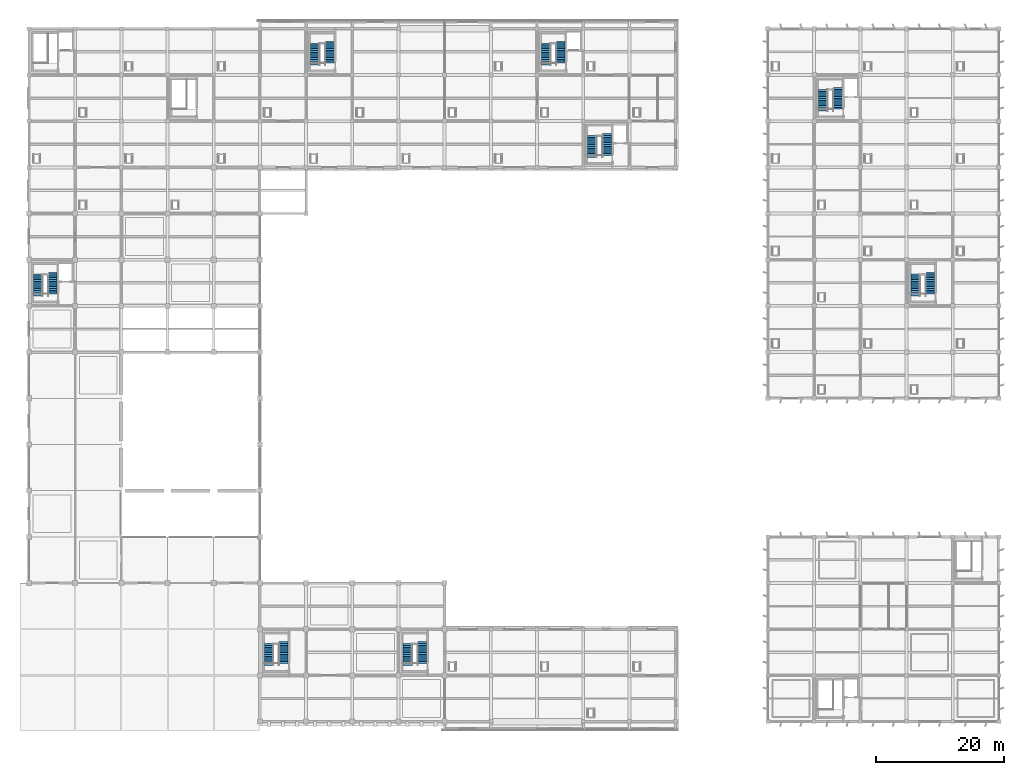
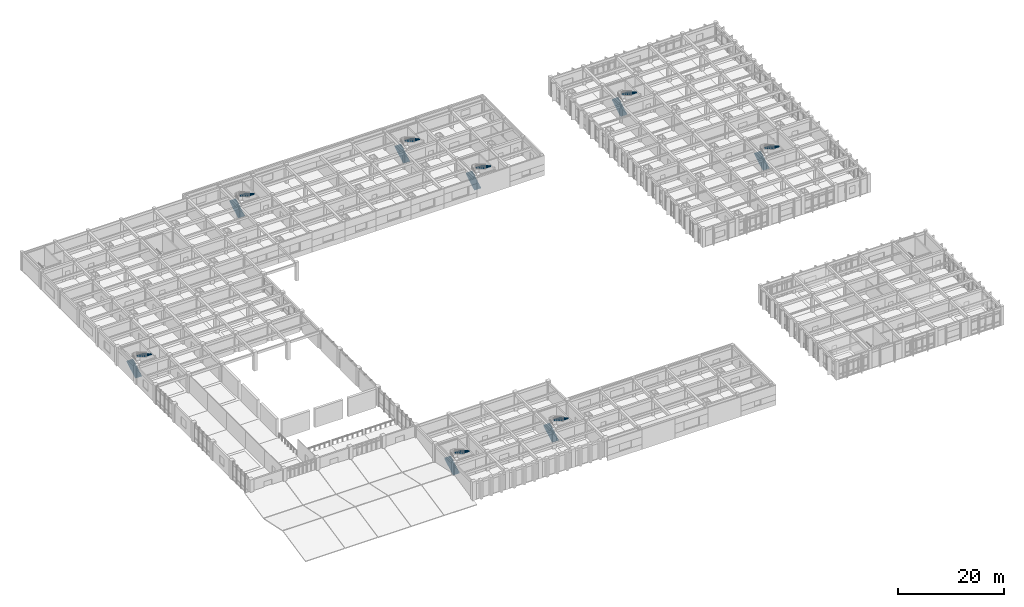
# One storey, part 63 of 70: 16 stair flights, 8 elements without a shape of their own.
"""IFC4 building model written with IfcOpenShell, lengths in metres."""

from ifc_helpers import new_model, si_unit, direction, frame, origin, place, context, subcontext, project, spatial, polyline, outline, extrude, material, type_object, element, aggregate, save


model = new_model("IFC4")

# Units and contexts
model_context = context("Model", 3, precision=1e-05, world=origin(), true_north=direction((0.0, 1.0)))
body_context = subcontext(model_context, "Body", "Model", "MODEL_VIEW")
ifc_project = project(units=[si_unit("LENGTHUNIT", "METRE"), si_unit("AREAUNIT", "SQUARE_METRE"), si_unit("VOLUMEUNIT", "CUBIC_METRE"), si_unit("PLANEANGLEUNIT", "RADIAN"), si_unit("MASSUNIT", "GRAM", prefix="KILO")], contexts=[model_context])

# Site, building, storey
site_placement = place(None, origin())
site = spatial("IfcSite", under=ifc_project, at=site_placement, CompositionType="ELEMENT")
building_placement = place(site_placement, origin())
building = spatial("IfcBuilding", under=site, at=building_placement, Name="Kavelor Marine Aquarium", CompositionType="ELEMENT")
storey_placement = place(building_placement, frame((0.0, 0.0, 9.179931640625)))
storey = spatial("IfcBuildingStorey", under=building, at=storey_placement, Name="L02", CompositionType="ELEMENT", Elevation=9.179931640625)

# Stair, stair flights
ifc_material_1 = material(Name="Concrete C40/50", Category="concrete")
stair_type = type_object("IfcStairType", Name="ST-T3", PredefinedType="HALF_TURN_STAIR", material=ifc_material_1)
stair_1_placement = place(storey_placement, origin())
stair_1 = element("IfcStair", 1, at=stair_1_placement, inside=storey, type_object=stair_type, Name="Exit Stair ST03 (L02)", PredefinedType="HALF_TURN_STAIR")
ifc_material_2 = material(Name="Concrete C40/50", Category="concrete")
stair_flight_type = type_object("IfcStairFlightType", Name="FLT-T3", PredefinedType="STRAIGHT", material=ifc_material_2)
stair_flight_1_placement = place(storey_placement, frame((4.580078125, 69.159912109375, 0.0), z_axis=(0.0, 0.0, 1.0), x_axis=(0.0, 1.0, 0.0)))
stair_flight_1 = element("IfcStairFlight", 2, at=stair_flight_1_placement, type_object=stair_flight_type, Name="ST03 flight 1", NumberOfRisers=13, NumberOfTreads=12, PredefinedType="STRAIGHT", RiserHeight=0.166154, TreadLength=0.282, context=body_context, shape_type="SweptSolid", body=[
    extrude(outline(polyline([(0.0, 0.0), (0.0, 0.166259765625), (0.281982421875, 0.166259765625), (0.281982421875, 0.332275390625), (0.56396484375, 0.332275390625), (0.56396484375, 0.49853515625), (0.845947265625, 0.49853515625), (0.845947265625, 0.66455078125), (1.1279296875, 0.66455078125), (1.1279296875, 0.830810546875), (1.409912109375, 0.830810546875), (1.409912109375, 0.996826171875), (1.69189453125, 0.996826171875), (1.69189453125, 1.1630859375), (1.97412109375, 1.1630859375), (1.97412109375, 1.329345703125), (2.256103515625, 1.329345703125), (2.256103515625, 1.495361328125), (2.5380859375, 1.495361328125), (2.5380859375, 1.66162109375), (2.820068359375, 1.66162109375), (2.820068359375, 1.82763671875), (3.10205078125, 1.82763671875), (3.10205078125, 1.993896484375), (3.384033203125, 1.993896484375), (3.384033203125, 2.159912109375), (3.384033203125, 1.784912109375), (0.3544921875, 0.0), (0.0, 0.0)])), frame((0.0, 0.68994140625, 0.0), z_axis=(0.0, -1.0, 0.0), x_axis=(1.0, 0.0, 0.0)), (0.0, 0.0, 1.0), 1.3798828125),
])
stair_flight_2_placement = place(storey_placement, frame((6.89990234375, 72.843994140625, 2.16015625), z_axis=(0.0, 0.0, 1.0), x_axis=(0.0, -1.0, 0.0)))
stair_flight_2 = element("IfcStairFlight", 3, at=stair_flight_2_placement, type_object=stair_flight_type, Name="ST03 flight 2", NumberOfRisers=13, NumberOfTreads=12, PredefinedType="STRAIGHT", RiserHeight=0.166154, TreadLength=0.282, context=body_context, shape_type="SweptSolid", body=[
    extrude(outline(polyline([(0.0, 0.0), (0.0, 0.166259765625), (0.281982421875, 0.166259765625), (0.281982421875, 0.332275390625), (0.56396484375, 0.332275390625), (0.56396484375, 0.49853515625), (0.845947265625, 0.49853515625), (0.845947265625, 0.66455078125), (1.1279296875, 0.66455078125), (1.1279296875, 0.830810546875), (1.409912109375, 0.830810546875), (1.409912109375, 0.996826171875), (1.69189453125, 0.996826171875), (1.69189453125, 1.1630859375), (1.97412109375, 1.1630859375), (1.97412109375, 1.329345703125), (2.256103515625, 1.329345703125), (2.256103515625, 1.495361328125), (2.5380859375, 1.495361328125), (2.5380859375, 1.66162109375), (2.820068359375, 1.66162109375), (2.820068359375, 1.82763671875), (3.10205078125, 1.82763671875), (3.10205078125, 1.993896484375), (3.384033203125, 1.993896484375), (3.384033203125, 2.159912109375), (3.384033203125, 1.784912109375), (0.3544921875, 0.0), (0.0, 0.0)])), frame((0.0, 0.68994140625, 0.0), z_axis=(0.0, -1.0, 0.0), x_axis=(1.0, 0.0, 0.0)), (0.0, 0.0, 1.0), 1.3798828125),
])
aggregate(stair_1, [stair_flight_1, stair_flight_2])

stair_2_placement = place(storey_placement, origin())
stair_2 = element("IfcStair", 4, at=stair_2_placement, inside=storey, type_object=stair_type, Name="Exit Stair ST04 (L02)", PredefinedType="HALF_TURN_STAIR")
stair_flight_3_placement = place(storey_placement, frame((40.580078125, 11.56005859375, 0.0), z_axis=(0.0, 0.0, 1.0), x_axis=(0.0, 1.0, 0.0)))
stair_flight_3 = element("IfcStairFlight", 5, at=stair_flight_3_placement, type_object=stair_flight_type, Name="ST04 flight 1", NumberOfRisers=13, NumberOfTreads=12, PredefinedType="STRAIGHT", RiserHeight=0.166154, TreadLength=0.282, context=body_context, shape_type="SweptSolid", body=[
    extrude(outline(polyline([(0.0, 0.0), (0.0, 0.166259765625), (0.281982421875, 0.166259765625), (0.281982421875, 0.332275390625), (0.56396484375, 0.332275390625), (0.56396484375, 0.49853515625), (0.845947265625, 0.49853515625), (0.845947265625, 0.66455078125), (1.1279296875, 0.66455078125), (1.1279296875, 0.830810546875), (1.409912109375, 0.830810546875), (1.409912109375, 0.996826171875), (1.69189453125, 0.996826171875), (1.69189453125, 1.1630859375), (1.97412109375, 1.1630859375), (1.97412109375, 1.329345703125), (2.256103515625, 1.329345703125), (2.256103515625, 1.495361328125), (2.5380859375, 1.495361328125), (2.5380859375, 1.66162109375), (2.820068359375, 1.66162109375), (2.820068359375, 1.82763671875), (3.10205078125, 1.82763671875), (3.10205078125, 1.993896484375), (3.384033203125, 1.993896484375), (3.384033203125, 2.159912109375), (3.384033203125, 1.784912109375), (0.3544921875, 0.0), (0.0, 0.0)])), frame((0.0, 0.68994140625, 0.0), z_axis=(0.0, -1.0, 0.0), x_axis=(1.0, 0.0, 0.0)), (0.0, 0.0, 1.0), 1.3798828125),
])
stair_flight_4_placement = place(storey_placement, frame((42.89990234375, 15.243896484375, 2.16015625), z_axis=(0.0, 0.0, 1.0), x_axis=(0.0, -1.0, 0.0)))
stair_flight_4 = element("IfcStairFlight", 6, at=stair_flight_4_placement, type_object=stair_flight_type, Name="ST04 flight 2", NumberOfRisers=13, NumberOfTreads=12, PredefinedType="STRAIGHT", RiserHeight=0.166154, TreadLength=0.282, context=body_context, shape_type="SweptSolid", body=[
    extrude(outline(polyline([(0.0, 0.0), (0.0, 0.166259765625), (0.281982421875, 0.166259765625), (0.281982421875, 0.332275390625), (0.56396484375, 0.332275390625), (0.56396484375, 0.49853515625), (0.845947265625, 0.49853515625), (0.845947265625, 0.66455078125), (1.1279296875, 0.66455078125), (1.1279296875, 0.830810546875), (1.409912109375, 0.830810546875), (1.409912109375, 0.996826171875), (1.69189453125, 0.996826171875), (1.69189453125, 1.1630859375), (1.97412109375, 1.1630859375), (1.97412109375, 1.329345703125), (2.256103515625, 1.329345703125), (2.256103515625, 1.495361328125), (2.5380859375, 1.495361328125), (2.5380859375, 1.66162109375), (2.820068359375, 1.66162109375), (2.820068359375, 1.82763671875), (3.10205078125, 1.82763671875), (3.10205078125, 1.993896484375), (3.384033203125, 1.993896484375), (3.384033203125, 2.159912109375), (3.384033203125, 1.784912109375), (0.3544921875, 0.0), (0.0, 0.0)])), frame((0.0, 0.68994140625, 0.0), z_axis=(0.0, -1.0, 0.0), x_axis=(1.0, 0.0, 0.0)), (0.0, 0.0, 1.0), 1.3798828125),
])
aggregate(stair_2, [stair_flight_3, stair_flight_4])

stair_3_placement = place(storey_placement, origin())
stair_3 = element("IfcStair", 7, at=stair_3_placement, inside=storey, type_object=stair_type, Name="Exit Stair ST12 (L02)", PredefinedType="HALF_TURN_STAIR")
stair_flight_5_placement = place(storey_placement, frame((62.179931640625, 11.56005859375, 0.0), z_axis=(0.0, 0.0, 1.0), x_axis=(0.0, 1.0, 0.0)))
stair_flight_5 = element("IfcStairFlight", 8, at=stair_flight_5_placement, type_object=stair_flight_type, Name="ST12 flight 1", NumberOfRisers=13, NumberOfTreads=12, PredefinedType="STRAIGHT", RiserHeight=0.166154, TreadLength=0.282, context=body_context, shape_type="SweptSolid", body=[
    extrude(outline(polyline([(0.0, 0.0), (0.0, 0.166259765625), (0.281982421875, 0.166259765625), (0.281982421875, 0.332275390625), (0.56396484375, 0.332275390625), (0.56396484375, 0.49853515625), (0.845947265625, 0.49853515625), (0.845947265625, 0.66455078125), (1.1279296875, 0.66455078125), (1.1279296875, 0.830810546875), (1.409912109375, 0.830810546875), (1.409912109375, 0.996826171875), (1.69189453125, 0.996826171875), (1.69189453125, 1.1630859375), (1.97412109375, 1.1630859375), (1.97412109375, 1.329345703125), (2.256103515625, 1.329345703125), (2.256103515625, 1.495361328125), (2.5380859375, 1.495361328125), (2.5380859375, 1.66162109375), (2.820068359375, 1.66162109375), (2.820068359375, 1.82763671875), (3.10205078125, 1.82763671875), (3.10205078125, 1.993896484375), (3.384033203125, 1.993896484375), (3.384033203125, 2.159912109375), (3.384033203125, 1.784912109375), (0.3544921875, 0.0), (0.0, 0.0)])), frame((0.0, 0.68994140625, 0.0), z_axis=(0.0, -1.0, 0.0), x_axis=(1.0, 0.0, 0.0)), (0.0, 0.0, 1.0), 1.3798828125),
])
stair_flight_6_placement = place(storey_placement, frame((64.5, 15.243896484375, 2.16015625), z_axis=(0.0, 0.0, 1.0), x_axis=(0.0, -1.0, 0.0)))
stair_flight_6 = element("IfcStairFlight", 9, at=stair_flight_6_placement, type_object=stair_flight_type, Name="ST12 flight 2", NumberOfRisers=13, NumberOfTreads=12, PredefinedType="STRAIGHT", RiserHeight=0.166154, TreadLength=0.282, context=body_context, shape_type="SweptSolid", body=[
    extrude(outline(polyline([(0.0, 0.0), (0.0, 0.166259765625), (0.281982421875, 0.166259765625), (0.281982421875, 0.332275390625), (0.56396484375, 0.332275390625), (0.56396484375, 0.49853515625), (0.845947265625, 0.49853515625), (0.845947265625, 0.66455078125), (1.1279296875, 0.66455078125), (1.1279296875, 0.830810546875), (1.409912109375, 0.830810546875), (1.409912109375, 0.996826171875), (1.69189453125, 0.996826171875), (1.69189453125, 1.1630859375), (1.97412109375, 1.1630859375), (1.97412109375, 1.329345703125), (2.256103515625, 1.329345703125), (2.256103515625, 1.495361328125), (2.5380859375, 1.495361328125), (2.5380859375, 1.66162109375), (2.820068359375, 1.66162109375), (2.820068359375, 1.82763671875), (3.10205078125, 1.82763671875), (3.10205078125, 1.993896484375), (3.384033203125, 1.993896484375), (3.384033203125, 2.159912109375), (3.384033203125, 1.784912109375), (0.3544921875, 0.0), (0.0, 0.0)])), frame((0.0, 0.68994140625, 0.0), z_axis=(0.0, -1.0, 0.0), x_axis=(1.0, 0.0, 0.0)), (0.0, 0.0, 1.0), 1.3798828125),
])
aggregate(stair_3, [stair_flight_5, stair_flight_6])

stair_4_placement = place(storey_placement, origin())
stair_4 = element("IfcStair", 10, at=stair_4_placement, inside=storey, type_object=stair_type, Name="Exit Stair ST05 (L02)", PredefinedType="HALF_TURN_STAIR")
stair_flight_7_placement = place(storey_placement, frame((47.780029296875, 105.159912109375, 0.0), z_axis=(0.0, 0.0, 1.0), x_axis=(0.0, 1.0, 0.0)))
stair_flight_7 = element("IfcStairFlight", 11, at=stair_flight_7_placement, type_object=stair_flight_type, Name="ST05 flight 1", NumberOfRisers=13, NumberOfTreads=12, PredefinedType="STRAIGHT", RiserHeight=0.166154, TreadLength=0.282, context=body_context, shape_type="SweptSolid", body=[
    extrude(outline(polyline([(0.0, 0.0), (0.0, 0.166259765625), (0.281982421875, 0.166259765625), (0.281982421875, 0.332275390625), (0.56396484375, 0.332275390625), (0.56396484375, 0.49853515625), (0.845947265625, 0.49853515625), (0.845947265625, 0.66455078125), (1.1279296875, 0.66455078125), (1.1279296875, 0.830810546875), (1.409912109375, 0.830810546875), (1.409912109375, 0.996826171875), (1.69189453125, 0.996826171875), (1.69189453125, 1.1630859375), (1.97412109375, 1.1630859375), (1.97412109375, 1.329345703125), (2.256103515625, 1.329345703125), (2.256103515625, 1.495361328125), (2.5380859375, 1.495361328125), (2.5380859375, 1.66162109375), (2.820068359375, 1.66162109375), (2.820068359375, 1.82763671875), (3.10205078125, 1.82763671875), (3.10205078125, 1.993896484375), (3.384033203125, 1.993896484375), (3.384033203125, 2.159912109375), (3.384033203125, 1.784912109375), (0.3544921875, 0.0), (0.0, 0.0)])), frame((0.0, 0.68994140625, 0.0), z_axis=(0.0, -1.0, 0.0), x_axis=(1.0, 0.0, 0.0)), (0.0, 0.0, 1.0), 1.3798828125),
])
stair_flight_8_placement = place(storey_placement, frame((50.10009765625, 108.843994140625, 2.16015625), z_axis=(0.0, 0.0, 1.0), x_axis=(0.0, -1.0, 0.0)))
stair_flight_8 = element("IfcStairFlight", 12, at=stair_flight_8_placement, type_object=stair_flight_type, Name="ST05 flight 2", NumberOfRisers=13, NumberOfTreads=12, PredefinedType="STRAIGHT", RiserHeight=0.166154, TreadLength=0.282, context=body_context, shape_type="SweptSolid", body=[
    extrude(outline(polyline([(0.0, 0.0), (0.0, 0.166259765625), (0.281982421875, 0.166259765625), (0.281982421875, 0.332275390625), (0.56396484375, 0.332275390625), (0.56396484375, 0.49853515625), (0.845947265625, 0.49853515625), (0.845947265625, 0.66455078125), (1.1279296875, 0.66455078125), (1.1279296875, 0.830810546875), (1.409912109375, 0.830810546875), (1.409912109375, 0.996826171875), (1.69189453125, 0.996826171875), (1.69189453125, 1.1630859375), (1.97412109375, 1.1630859375), (1.97412109375, 1.329345703125), (2.256103515625, 1.329345703125), (2.256103515625, 1.495361328125), (2.5380859375, 1.495361328125), (2.5380859375, 1.66162109375), (2.820068359375, 1.66162109375), (2.820068359375, 1.82763671875), (3.10205078125, 1.82763671875), (3.10205078125, 1.993896484375), (3.384033203125, 1.993896484375), (3.384033203125, 2.159912109375), (3.384033203125, 1.784912109375), (0.3544921875, 0.0), (0.0, 0.0)])), frame((0.0, 0.68994140625, 0.0), z_axis=(0.0, -1.0, 0.0), x_axis=(1.0, 0.0, 0.0)), (0.0, 0.0, 1.0), 1.3798828125),
])
aggregate(stair_4, [stair_flight_7, stair_flight_8])

stair_5_placement = place(storey_placement, origin())
stair_5 = element("IfcStair", 13, at=stair_5_placement, inside=storey, type_object=stair_type, Name="Exit Stair ST06 (L02)", PredefinedType="HALF_TURN_STAIR")
stair_flight_9_placement = place(storey_placement, frame((83.780029296875, 105.159912109375, 0.0), z_axis=(0.0, 0.0, 1.0), x_axis=(0.0, 1.0, 0.0)))
stair_flight_9 = element("IfcStairFlight", 14, at=stair_flight_9_placement, type_object=stair_flight_type, Name="ST06 flight 1", NumberOfRisers=13, NumberOfTreads=12, PredefinedType="STRAIGHT", RiserHeight=0.166154, TreadLength=0.282, context=body_context, shape_type="SweptSolid", body=[
    extrude(outline(polyline([(0.0, 0.0), (0.0, 0.166259765625), (0.281982421875, 0.166259765625), (0.281982421875, 0.332275390625), (0.56396484375, 0.332275390625), (0.56396484375, 0.49853515625), (0.845947265625, 0.49853515625), (0.845947265625, 0.66455078125), (1.1279296875, 0.66455078125), (1.1279296875, 0.830810546875), (1.409912109375, 0.830810546875), (1.409912109375, 0.996826171875), (1.69189453125, 0.996826171875), (1.69189453125, 1.1630859375), (1.97412109375, 1.1630859375), (1.97412109375, 1.329345703125), (2.256103515625, 1.329345703125), (2.256103515625, 1.495361328125), (2.5380859375, 1.495361328125), (2.5380859375, 1.66162109375), (2.820068359375, 1.66162109375), (2.820068359375, 1.82763671875), (3.10205078125, 1.82763671875), (3.10205078125, 1.993896484375), (3.384033203125, 1.993896484375), (3.384033203125, 2.159912109375), (3.384033203125, 1.784912109375), (0.3544921875, 0.0), (0.0, 0.0)])), frame((0.0, 0.68994140625, 0.0), z_axis=(0.0, -1.0, 0.0), x_axis=(1.0, 0.0, 0.0)), (0.0, 0.0, 1.0), 1.3798828125),
])
stair_flight_10_placement = place(storey_placement, frame((86.10009765625, 108.843994140625, 2.16015625), z_axis=(0.0, 0.0, 1.0), x_axis=(0.0, -1.0, 0.0)))
stair_flight_10 = element("IfcStairFlight", 15, at=stair_flight_10_placement, type_object=stair_flight_type, Name="ST06 flight 2", NumberOfRisers=13, NumberOfTreads=12, PredefinedType="STRAIGHT", RiserHeight=0.166154, TreadLength=0.282, context=body_context, shape_type="SweptSolid", body=[
    extrude(outline(polyline([(0.0, 0.0), (0.0, 0.166259765625), (0.281982421875, 0.166259765625), (0.281982421875, 0.332275390625), (0.56396484375, 0.332275390625), (0.56396484375, 0.49853515625), (0.845947265625, 0.49853515625), (0.845947265625, 0.66455078125), (1.1279296875, 0.66455078125), (1.1279296875, 0.830810546875), (1.409912109375, 0.830810546875), (1.409912109375, 0.996826171875), (1.69189453125, 0.996826171875), (1.69189453125, 1.1630859375), (1.97412109375, 1.1630859375), (1.97412109375, 1.329345703125), (2.256103515625, 1.329345703125), (2.256103515625, 1.495361328125), (2.5380859375, 1.495361328125), (2.5380859375, 1.66162109375), (2.820068359375, 1.66162109375), (2.820068359375, 1.82763671875), (3.10205078125, 1.82763671875), (3.10205078125, 1.993896484375), (3.384033203125, 1.993896484375), (3.384033203125, 2.159912109375), (3.384033203125, 1.784912109375), (0.3544921875, 0.0), (0.0, 0.0)])), frame((0.0, 0.68994140625, 0.0), z_axis=(0.0, -1.0, 0.0), x_axis=(1.0, 0.0, 0.0)), (0.0, 0.0, 1.0), 1.3798828125),
])
aggregate(stair_5, [stair_flight_9, stair_flight_10])

stair_6_placement = place(storey_placement, origin())
stair_6 = element("IfcStair", 16, at=stair_6_placement, inside=storey, type_object=stair_type, Name="Exit Stair ST07 (L02)", PredefinedType="HALF_TURN_STAIR")
stair_flight_11_placement = place(storey_placement, frame((90.97998046875, 90.760009765625, 0.0), z_axis=(0.0, 0.0, 1.0), x_axis=(0.0, 1.0, 0.0)))
stair_flight_11 = element("IfcStairFlight", 17, at=stair_flight_11_placement, type_object=stair_flight_type, Name="ST07 flight 1", NumberOfRisers=13, NumberOfTreads=12, PredefinedType="STRAIGHT", RiserHeight=0.166154, TreadLength=0.282, context=body_context, shape_type="SweptSolid", body=[
    extrude(outline(polyline([(0.0, 0.0), (0.0, 0.166259765625), (0.281982421875, 0.166259765625), (0.281982421875, 0.332275390625), (0.56396484375, 0.332275390625), (0.56396484375, 0.49853515625), (0.845947265625, 0.49853515625), (0.845947265625, 0.66455078125), (1.1279296875, 0.66455078125), (1.1279296875, 0.830810546875), (1.409912109375, 0.830810546875), (1.409912109375, 0.996826171875), (1.69189453125, 0.996826171875), (1.69189453125, 1.1630859375), (1.97412109375, 1.1630859375), (1.97412109375, 1.329345703125), (2.256103515625, 1.329345703125), (2.256103515625, 1.495361328125), (2.5380859375, 1.495361328125), (2.5380859375, 1.66162109375), (2.820068359375, 1.66162109375), (2.820068359375, 1.82763671875), (3.10205078125, 1.82763671875), (3.10205078125, 1.993896484375), (3.384033203125, 1.993896484375), (3.384033203125, 2.159912109375), (3.384033203125, 1.784912109375), (0.3544921875, 0.0), (0.0, 0.0)])), frame((0.0, 0.68994140625, 0.0), z_axis=(0.0, -1.0, 0.0), x_axis=(1.0, 0.0, 0.0)), (0.0, 0.0, 1.0), 1.3798828125),
])
stair_flight_12_placement = place(storey_placement, frame((93.300048828125, 94.444091796875, 2.16015625), z_axis=(0.0, 0.0, 1.0), x_axis=(0.0, -1.0, 0.0)))
stair_flight_12 = element("IfcStairFlight", 18, at=stair_flight_12_placement, type_object=stair_flight_type, Name="ST07 flight 2", NumberOfRisers=13, NumberOfTreads=12, PredefinedType="STRAIGHT", RiserHeight=0.166154, TreadLength=0.282, context=body_context, shape_type="SweptSolid", body=[
    extrude(outline(polyline([(0.0, 0.0), (0.0, 0.166259765625), (0.281982421875, 0.166259765625), (0.281982421875, 0.332275390625), (0.56396484375, 0.332275390625), (0.56396484375, 0.49853515625), (0.845947265625, 0.49853515625), (0.845947265625, 0.66455078125), (1.1279296875, 0.66455078125), (1.1279296875, 0.830810546875), (1.409912109375, 0.830810546875), (1.409912109375, 0.996826171875), (1.69189453125, 0.996826171875), (1.69189453125, 1.1630859375), (1.97412109375, 1.1630859375), (1.97412109375, 1.329345703125), (2.256103515625, 1.329345703125), (2.256103515625, 1.495361328125), (2.5380859375, 1.495361328125), (2.5380859375, 1.66162109375), (2.820068359375, 1.66162109375), (2.820068359375, 1.82763671875), (3.10205078125, 1.82763671875), (3.10205078125, 1.993896484375), (3.384033203125, 1.993896484375), (3.384033203125, 2.159912109375), (3.384033203125, 1.784912109375), (0.3544921875, 0.0), (0.0, 0.0)])), frame((0.0, 0.68994140625, 0.0), z_axis=(0.0, -1.0, 0.0), x_axis=(1.0, 0.0, 0.0)), (0.0, 0.0, 1.0), 1.3798828125),
])
aggregate(stair_6, [stair_flight_11, stair_flight_12])

stair_7_placement = place(storey_placement, origin())
stair_7 = element("IfcStair", 19, at=stair_7_placement, inside=storey, type_object=stair_type, Name="Exit Stair ST10 (L02)", PredefinedType="HALF_TURN_STAIR")
stair_flight_13_placement = place(storey_placement, frame((126.97998046875, 97.9599609375, 0.0), z_axis=(0.0, 0.0, 1.0), x_axis=(0.0, 1.0, 0.0)))
stair_flight_13 = element("IfcStairFlight", 20, at=stair_flight_13_placement, type_object=stair_flight_type, Name="ST10 flight 1", NumberOfRisers=13, NumberOfTreads=12, PredefinedType="STRAIGHT", RiserHeight=0.166154, TreadLength=0.282, context=body_context, shape_type="SweptSolid", body=[
    extrude(outline(polyline([(0.0, 0.0), (0.0, 0.166259765625), (0.281982421875, 0.166259765625), (0.281982421875, 0.332275390625), (0.56396484375, 0.332275390625), (0.56396484375, 0.49853515625), (0.845947265625, 0.49853515625), (0.845947265625, 0.66455078125), (1.1279296875, 0.66455078125), (1.1279296875, 0.830810546875), (1.409912109375, 0.830810546875), (1.409912109375, 0.996826171875), (1.69189453125, 0.996826171875), (1.69189453125, 1.1630859375), (1.97412109375, 1.1630859375), (1.97412109375, 1.329345703125), (2.256103515625, 1.329345703125), (2.256103515625, 1.495361328125), (2.5380859375, 1.495361328125), (2.5380859375, 1.66162109375), (2.820068359375, 1.66162109375), (2.820068359375, 1.82763671875), (3.10205078125, 1.82763671875), (3.10205078125, 1.993896484375), (3.384033203125, 1.993896484375), (3.384033203125, 2.159912109375), (3.384033203125, 1.784912109375), (0.3544921875, 0.0), (0.0, 0.0)])), frame((0.0, 0.68994140625, 0.0), z_axis=(0.0, -1.0, 0.0), x_axis=(1.0, 0.0, 0.0)), (0.0, 0.0, 1.0), 1.3798828125),
])
stair_flight_14_placement = place(storey_placement, frame((129.300048828125, 101.64404296875, 2.16015625), z_axis=(0.0, 0.0, 1.0), x_axis=(0.0, -1.0, 0.0)))
stair_flight_14 = element("IfcStairFlight", 21, at=stair_flight_14_placement, type_object=stair_flight_type, Name="ST10 flight 2", NumberOfRisers=13, NumberOfTreads=12, PredefinedType="STRAIGHT", RiserHeight=0.166154, TreadLength=0.282, context=body_context, shape_type="SweptSolid", body=[
    extrude(outline(polyline([(0.0, 0.0), (0.0, 0.166259765625), (0.281982421875, 0.166259765625), (0.281982421875, 0.332275390625), (0.56396484375, 0.332275390625), (0.56396484375, 0.49853515625), (0.845947265625, 0.49853515625), (0.845947265625, 0.66455078125), (1.1279296875, 0.66455078125), (1.1279296875, 0.830810546875), (1.409912109375, 0.830810546875), (1.409912109375, 0.996826171875), (1.69189453125, 0.996826171875), (1.69189453125, 1.1630859375), (1.97412109375, 1.1630859375), (1.97412109375, 1.329345703125), (2.256103515625, 1.329345703125), (2.256103515625, 1.495361328125), (2.5380859375, 1.495361328125), (2.5380859375, 1.66162109375), (2.820068359375, 1.66162109375), (2.820068359375, 1.82763671875), (3.10205078125, 1.82763671875), (3.10205078125, 1.993896484375), (3.384033203125, 1.993896484375), (3.384033203125, 2.159912109375), (3.384033203125, 1.784912109375), (0.3544921875, 0.0), (0.0, 0.0)])), frame((0.0, 0.68994140625, 0.0), z_axis=(0.0, -1.0, 0.0), x_axis=(1.0, 0.0, 0.0)), (0.0, 0.0, 1.0), 1.3798828125),
])
aggregate(stair_7, [stair_flight_13, stair_flight_14])

stair_8_placement = place(storey_placement, origin())
stair_8 = element("IfcStair", 22, at=stair_8_placement, inside=storey, type_object=stair_type, Name="Exit Stair ST11 (L02)", PredefinedType="HALF_TURN_STAIR")
stair_flight_15_placement = place(storey_placement, frame((141.3798828125, 69.159912109375, 0.0), z_axis=(0.0, 0.0, 1.0), x_axis=(0.0, 1.0, 0.0)))
stair_flight_15 = element("IfcStairFlight", 23, at=stair_flight_15_placement, type_object=stair_flight_type, Name="ST11 flight 1", NumberOfRisers=13, NumberOfTreads=12, PredefinedType="STRAIGHT", RiserHeight=0.166154, TreadLength=0.282, context=body_context, shape_type="SweptSolid", body=[
    extrude(outline(polyline([(0.0, 0.0), (0.0, 0.166259765625), (0.281982421875, 0.166259765625), (0.281982421875, 0.332275390625), (0.56396484375, 0.332275390625), (0.56396484375, 0.49853515625), (0.845947265625, 0.49853515625), (0.845947265625, 0.66455078125), (1.1279296875, 0.66455078125), (1.1279296875, 0.830810546875), (1.409912109375, 0.830810546875), (1.409912109375, 0.996826171875), (1.69189453125, 0.996826171875), (1.69189453125, 1.1630859375), (1.97412109375, 1.1630859375), (1.97412109375, 1.329345703125), (2.256103515625, 1.329345703125), (2.256103515625, 1.495361328125), (2.5380859375, 1.495361328125), (2.5380859375, 1.66162109375), (2.820068359375, 1.66162109375), (2.820068359375, 1.82763671875), (3.10205078125, 1.82763671875), (3.10205078125, 1.993896484375), (3.384033203125, 1.993896484375), (3.384033203125, 2.159912109375), (3.384033203125, 1.784912109375), (0.3544921875, 0.0), (0.0, 0.0)])), frame((0.0, 0.68994140625, 0.0), z_axis=(0.0, -1.0, 0.0), x_axis=(1.0, 0.0, 0.0)), (0.0, 0.0, 1.0), 1.3798828125),
])
stair_flight_16_placement = place(storey_placement, frame((143.699951171875, 72.843994140625, 2.16015625), z_axis=(0.0, 0.0, 1.0), x_axis=(0.0, -1.0, 0.0)))
stair_flight_16 = element("IfcStairFlight", 24, at=stair_flight_16_placement, type_object=stair_flight_type, Name="ST11 flight 2", NumberOfRisers=13, NumberOfTreads=12, PredefinedType="STRAIGHT", RiserHeight=0.166154, TreadLength=0.282, context=body_context, shape_type="SweptSolid", body=[
    extrude(outline(polyline([(0.0, 0.0), (0.0, 0.166259765625), (0.281982421875, 0.166259765625), (0.281982421875, 0.332275390625), (0.56396484375, 0.332275390625), (0.56396484375, 0.49853515625), (0.845947265625, 0.49853515625), (0.845947265625, 0.66455078125), (1.1279296875, 0.66455078125), (1.1279296875, 0.830810546875), (1.409912109375, 0.830810546875), (1.409912109375, 0.996826171875), (1.69189453125, 0.996826171875), (1.69189453125, 1.1630859375), (1.97412109375, 1.1630859375), (1.97412109375, 1.329345703125), (2.256103515625, 1.329345703125), (2.256103515625, 1.495361328125), (2.5380859375, 1.495361328125), (2.5380859375, 1.66162109375), (2.820068359375, 1.66162109375), (2.820068359375, 1.82763671875), (3.10205078125, 1.82763671875), (3.10205078125, 1.993896484375), (3.384033203125, 1.993896484375), (3.384033203125, 2.159912109375), (3.384033203125, 1.784912109375), (0.3544921875, 0.0), (0.0, 0.0)])), frame((0.0, 0.68994140625, 0.0), z_axis=(0.0, -1.0, 0.0), x_axis=(1.0, 0.0, 0.0)), (0.0, 0.0, 1.0), 1.3798828125),
])
aggregate(stair_8, [stair_flight_15, stair_flight_16])

save(model, "model.ifc")
